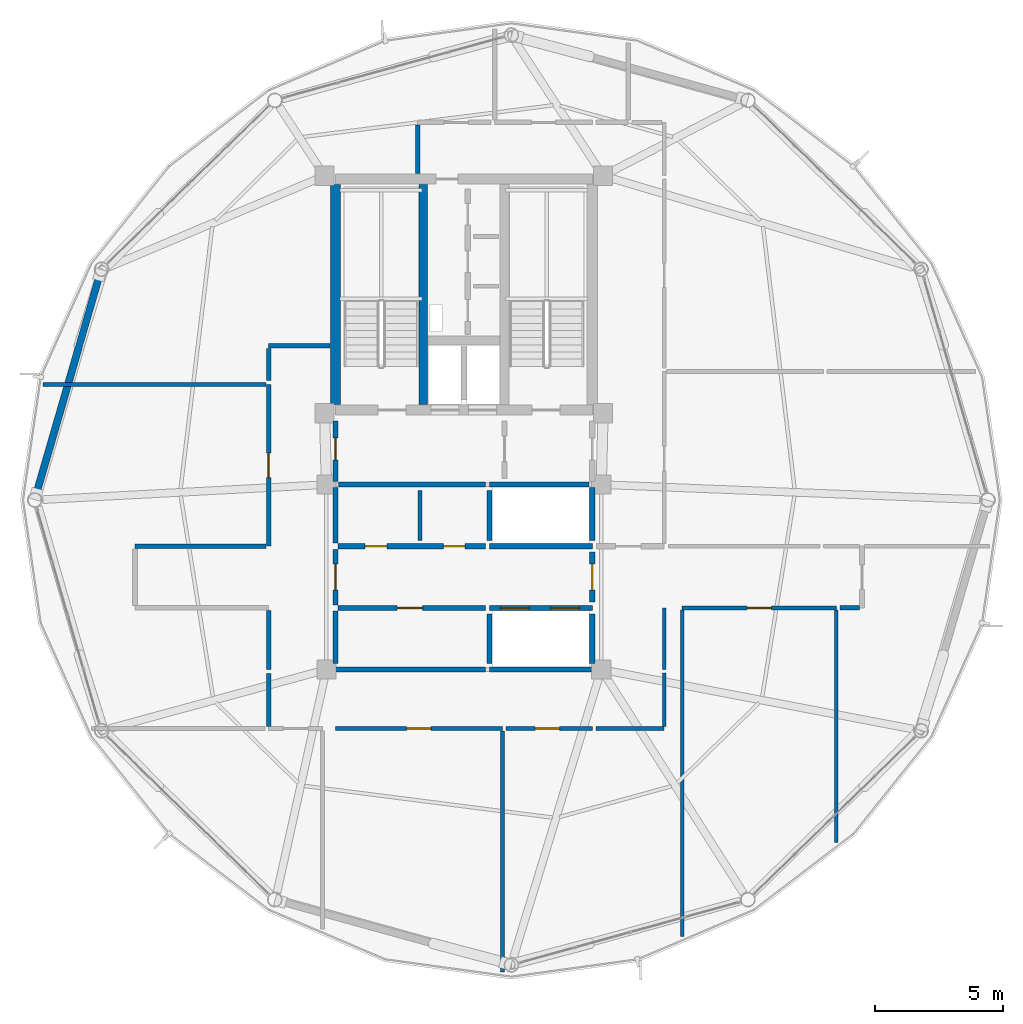
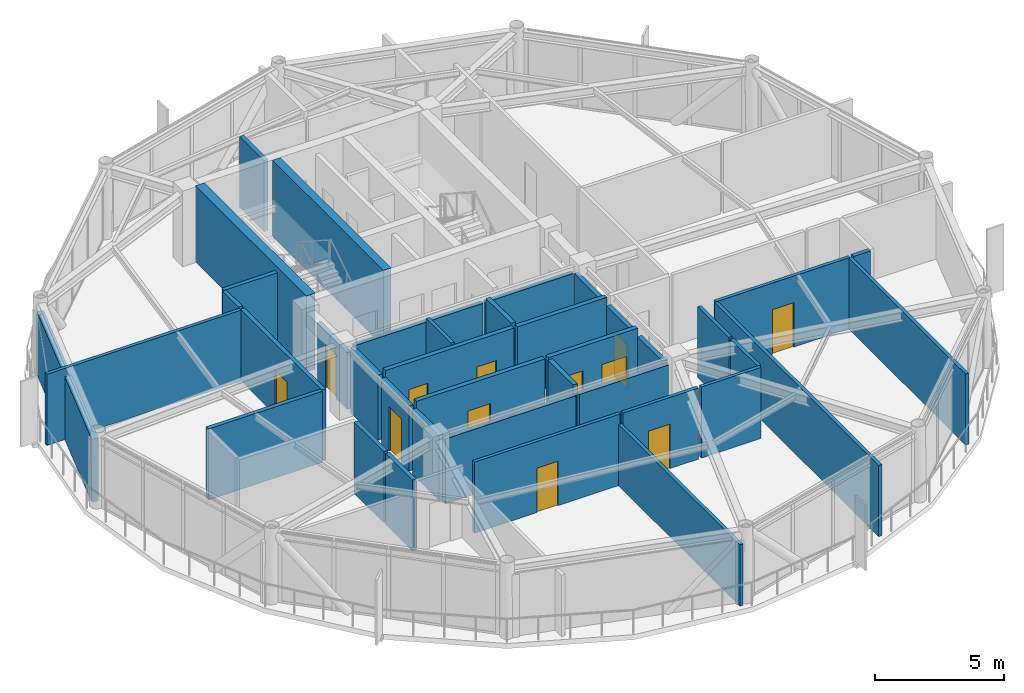
# One storey, part 22 of 27: 39 walls, 12 doors, 12 openings.
"""IFC4 building model written with IfcOpenShell, lengths in metres."""

from ifc_helpers import new_model, si_unit, direction, frame, frame_2d, origin, place, context, subcontext, project, spatial, rectangle, extrude, material, layer, layer_set, type_object, element, fill, save


model = new_model("IFC4")

# Units and contexts
model_context = context("Model", 3, precision=1e-05, world=origin(), true_north=direction((0.0, 1.0)))
body_context = subcontext(model_context, "Body", "Model", "MODEL_VIEW")
ifc_project = project(units=[si_unit("LENGTHUNIT", "METRE"), si_unit("AREAUNIT", "SQUARE_METRE"), si_unit("VOLUMEUNIT", "CUBIC_METRE"), si_unit("PLANEANGLEUNIT", "RADIAN"), si_unit("MASSUNIT", "GRAM", prefix="KILO")], contexts=[model_context])

# Site, building, storey
site_placement = place(None, origin())
site = spatial("IfcSite", under=ifc_project, at=site_placement, CompositionType="ELEMENT")
building_placement = place(site_placement, origin())
building = spatial("IfcBuilding", under=site, at=building_placement, Name="Varnakorn Sky Granary", CompositionType="ELEMENT")
storey_placement = place(building_placement, frame((0.0, 0.0, 245.39990234375)))
storey = spatial("IfcBuildingStorey", under=building, at=storey_placement, Name="L62", CompositionType="ELEMENT", Elevation=245.39990234375)

# Walls
ifc_material_1 = material(Name="Concrete C50/60", Category="concrete")
ifc_layer_1 = layer(ifc_material_1, 0.35009765625, Name="Concrete C50/60")
ifc_layer_set_1 = layer_set([ifc_layer_1], Name="Concrete C50/60")
wall_type_1 = type_object("IfcWallType", Name="WT-CW-INT-350", PredefinedType="SHEAR", material=ifc_layer_set_1)
wall_1_placement = place(storey_placement, frame((1.419921875, 3.7099609375, 0.0), z_axis=(0.0, 0.0, 1.0), x_axis=(0.0, 1.0, 0.0)))
element("IfcWall", 1, at=wall_1_placement, inside=storey, type_object=wall_type_1, Name="Stair ST-1 Core Wall L62", PredefinedType="SHEAR", context=body_context, shape_type="SweptSolid", body=[
    extrude(rectangle(XDim=8.580078125, YDim=0.35009765625, at=frame_2d((4.2900390625, 0.0))), origin(), (0.0, 0.0, 1.0), 3.592041015625),
])
ifc_layer_2 = layer(ifc_material_1, 0.39990234375, Name="Concrete C50/60")
ifc_layer_set_2 = layer_set([ifc_layer_2], Name="Concrete C50/60")
wall_type_2 = type_object("IfcWallType", Name="WT-CW-SHEAR-400", PredefinedType="SHEAR", material=ifc_layer_set_2)
wall_2_placement = place(storey_placement, frame((-2.0, 3.7099609375, 0.0), z_axis=(0.0, 0.0, 1.0), x_axis=(0.0, 1.0, 0.0)))
element("IfcWall", 2, at=wall_2_placement, inside=storey, type_object=wall_type_2, Name="Core West Shear Wall L62", PredefinedType="SHEAR", context=body_context, shape_type="SweptSolid", body=[
    extrude(rectangle(XDim=8.580078125, YDim=0.39990234375, at=frame_2d((4.2900390625, 0.0))), origin(), (0.0, 0.0, 1.0), 3.592041015625),
])
ifc_material_2 = material(Name="Precast concrete C40/50", Category="concrete")
ifc_layer_3 = layer(ifc_material_2, 0.280029296875, Name="Precast concrete C40/50")
ifc_layer_set_3 = layer_set([ifc_layer_3], Name="Precast concrete C40/50")
wall_type_3 = type_object("IfcWallType", Name="WT-EW-CRN-280", PredefinedType="SOLIDWALL", material=ifc_layer_set_3)
wall_3_placement = place(storey_placement, frame((-13.647705078125, 0.22509765625, 0.0), z_axis=(0.0, 0.0, 1.0), x_axis=(0.278336910571, 0.960483505436, 0.0)))
element("IfcWall", 3, at=wall_3_placement, inside=storey, type_object=wall_type_3, Name="Agritech Insulated Precast Facade Wall L62-P06", PredefinedType="SOLIDWALL", context=body_context, shape_type="SweptSolid", body=[
    extrude(rectangle(XDim=8.88623046875, YDim=0.280029296875, at=frame_2d((4.443115234375, 0.0))), origin(), (0.0, 0.0, 1.0), 2.97021484375),
])

# Wall, opening, door
ifc_material_3 = material(Name="Autoclaved Aerated Concrete Blockwork", Category="masonry")
ifc_layer_4 = layer(ifc_material_3, 0.199951171875, Name="Autoclaved Aerated Concrete Blockwork")
ifc_layer_set_4 = layer_set([ifc_layer_4], Name="Autoclaved Aerated Concrete Blockwork")
wall_type_4 = type_object("IfcWallType", Name="WT-FIRE-200", PredefinedType="MOVABLE", material=ifc_layer_set_4)
wall_4_placement = place(storey_placement, frame((-2.0, 0.719970703125, 0.0), z_axis=(0.0, 0.0, 1.0), x_axis=(0.0, 1.0, 0.0)))
wall_4 = element("IfcWall", 4, at=wall_4_placement, inside=storey, type_object=wall_type_4, Name="Interior Partition Wall L62-012", PredefinedType="MOVABLE", context=body_context, shape_type="SweptSolid", body=[
    extrude(rectangle(XDim=2.35009765625, YDim=0.199951171875, at=frame_2d((1.175048828125, 0.0))), origin(), (0.0, 0.0, 1.0), 2.692138671875),
])
opening_1_placement = place(wall_4_placement, frame((0.844970703125, 0.0, 0.0)))
opening_1 = element("IfcOpeningElement", 5, at=opening_1_placement, cuts=wall_4, Name="Opening FD-60N", PredefinedType="OPENING", context=body_context, shape_type="SweptSolid", body=[
    extrude(rectangle(XDim=0.85009765625, YDim=2.10009765625, at=frame_2d((0.425048828125, 1.050048828125))), frame((0.0, 0.10986328125, 0.0), z_axis=(0.0, -1.0, 0.0), x_axis=(1.0, 0.0, 0.0)), (0.0, 0.0, 1.0), 0.219970703125),
])
ifc_material_4 = material(Name="Acoustic Timber Fire Leaf", Category="wood")
door_type_1 = type_object("IfcDoorType", Name="DR-FD60-850", OperationType="NOTDEFINED", PredefinedType="DOOR", material=ifc_material_4)
door_1_placement = place(opening_1_placement, origin())
door_1 = element("IfcDoor", 6, at=door_1_placement, inside=storey, type_object=door_type_1, Name="Interior Door L62-012-1", OperationType="SINGLE_SWING_RIGHT", OverallHeight=2.10009765625, OverallWidth=0.85009765625, PredefinedType="DOOR", context=body_context, shape_type="SweptSolid", body=[
    extrude(rectangle(XDim=0.85009765625, YDim=2.10009765625, at=frame_2d((0.425048828125, 1.050048828125))), frame((0.0, 0.02490234375, 0.0), z_axis=(0.0, -1.0, 0.0), x_axis=(1.0, 0.0, 0.0)), (0.0, 0.0, 1.0), 0.050048828125),
])
fill(opening_1, door_1)

wall_5_placement = place(storey_placement, frame((-2.0, -4.080078125, 0.0), z_axis=(0.0, 0.0, 1.0), x_axis=(0.0, 1.0, 0.0)))
wall_5 = element("IfcWall", 7, at=wall_5_placement, inside=storey, type_object=wall_type_4, Name="Interior Partition Wall L62-014", PredefinedType="MOVABLE", context=body_context, shape_type="SweptSolid", body=[
    extrude(rectangle(XDim=2.16015625, YDim=0.199951171875, at=frame_2d((1.080078125, 0.0))), origin(), (0.0, 0.0, 1.0), 3.072021484375),
])
opening_2_placement = place(wall_5_placement, frame((0.580078125, 0.0, 0.0)))
opening_2 = element("IfcOpeningElement", 8, at=opening_2_placement, cuts=wall_5, Name="Opening FD-60", PredefinedType="OPENING", context=body_context, shape_type="SweptSolid", body=[
    extrude(rectangle(XDim=1.0, YDim=2.10009765625, at=frame_2d((0.5, 1.050048828125))), frame((0.0, 0.10986328125, 0.0), z_axis=(0.0, -1.0, 0.0), x_axis=(1.0, 0.0, 0.0)), (0.0, 0.0, 1.0), 0.219970703125),
])
door_type_2 = type_object("IfcDoorType", Name="DR-FD60-1000", OperationType="NOTDEFINED", PredefinedType="DOOR", material=ifc_material_4)
door_2_placement = place(opening_2_placement, origin())
door_2 = element("IfcDoor", 9, at=door_2_placement, inside=storey, type_object=door_type_2, Name="Interior Door L62-014-1", OperationType="SINGLE_SWING_RIGHT", OverallHeight=2.10009765625, OverallWidth=1.0, PredefinedType="DOOR", context=body_context, shape_type="SweptSolid", body=[
    extrude(rectangle(XDim=1.0, YDim=2.10009765625, at=frame_2d((0.5, 1.050048828125))), frame((0.0, 0.02490234375, 0.0), z_axis=(0.0, -1.0, 0.0), x_axis=(1.0, 0.0, 0.0)), (0.0, 0.0, 1.0), 0.050048828125),
])
fill(opening_2, door_2)

wall_6_placement = place(storey_placement, frame((8.0, -3.969970703125, 0.0), z_axis=(0.0, 0.0, 1.0), x_axis=(0.0, 1.0, 0.0)))
wall_6 = element("IfcWall", 10, at=wall_6_placement, inside=storey, type_object=wall_type_4, Name="Interior Partition Wall L62-015", PredefinedType="MOVABLE", context=body_context, shape_type="SweptSolid", body=[
    extrude(rectangle(XDim=1.93994140625, YDim=0.199951171875, at=frame_2d((0.969970703125, 0.0))), origin(), (0.0, 0.0, 1.0), 3.072021484375),
])
opening_3_placement = place(wall_6_placement, frame((0.469970703125, 0.0, 0.0)))
opening_3 = element("IfcOpeningElement", 11, at=opening_3_placement, cuts=wall_6, Name="Opening FD-60", PredefinedType="OPENING", context=body_context, shape_type="SweptSolid", body=[
    extrude(rectangle(XDim=1.0, YDim=2.10009765625, at=frame_2d((0.5, 1.050048828125))), frame((0.0, 0.10986328125, 0.0), z_axis=(0.0, -1.0, 0.0), x_axis=(1.0, 0.0, 0.0)), (0.0, 0.0, 1.0), 0.219970703125),
])
door_3_placement = place(opening_3_placement, origin())
door_3 = element("IfcDoor", 12, at=door_3_placement, inside=storey, type_object=door_type_2, Name="Interior Door L62-015-1", OperationType="SINGLE_SWING_LEFT", OverallHeight=2.10009765625, OverallWidth=1.0, PredefinedType="DOOR", context=body_context, shape_type="SweptSolid", body=[
    extrude(rectangle(XDim=1.0, YDim=2.10009765625, at=frame_2d((0.5, 1.050048828125))), frame((0.0, 0.02490234375, 0.0), z_axis=(0.0, -1.0, 0.0), x_axis=(1.0, 0.0, 0.0)), (0.0, 0.0, 1.0), 0.050048828125),
])
fill(opening_3, door_3)

# Wall, openings, doors
wall_7_placement = place(storey_placement, frame((-1.889892578125, -1.800048828125, 0.0), z_axis=(0.0, 0.0, 1.0), x_axis=(1.0, 0.0, 0.0)))
wall_7 = element("IfcWall", 13, at=wall_7_placement, inside=storey, type_object=wall_type_4, Name="Interior Partition Wall L62-016", PredefinedType="MOVABLE", context=body_context, shape_type="SweptSolid", body=[
    extrude(rectangle(XDim=5.72998046875, YDim=0.199951171875, at=frame_2d((2.864990234375, 0.0))), origin(), (0.0, 0.0, 1.0), 3.360107421875),
])
opening_4_placement = place(wall_7_placement, frame((1.0400390625, 0.0, 0.0)))
opening_4 = element("IfcOpeningElement", 14, at=opening_4_placement, cuts=wall_7, Name="Opening FD-60N", PredefinedType="OPENING", context=body_context, shape_type="SweptSolid", body=[
    extrude(rectangle(XDim=0.85009765625, YDim=2.10009765625, at=frame_2d((0.425048828125, 1.050048828125))), frame((0.0, 0.10986328125, 0.0), z_axis=(0.0, -1.0, 0.0), x_axis=(1.0, 0.0, 0.0)), (0.0, 0.0, 1.0), 0.219970703125),
])
opening_5_placement = place(wall_7_placement, frame((4.090087890625, 0.0, 0.0)))
opening_5 = element("IfcOpeningElement", 15, at=opening_5_placement, cuts=wall_7, Name="Opening FD-60N", PredefinedType="OPENING", context=body_context, shape_type="SweptSolid", body=[
    extrude(rectangle(XDim=0.85009765625, YDim=2.10009765625, at=frame_2d((0.425048828125, 1.050048828125))), frame((0.0, 0.10986328125, 0.0), z_axis=(0.0, -1.0, 0.0), x_axis=(1.0, 0.0, 0.0)), (0.0, 0.0, 1.0), 0.219970703125),
])
door_4_placement = place(opening_4_placement, origin())
door_4 = element("IfcDoor", 16, at=door_4_placement, inside=storey, type_object=door_type_1, Name="Interior Door L62-016-1", OperationType="SINGLE_SWING_RIGHT", OverallHeight=2.10009765625, OverallWidth=0.85009765625, PredefinedType="DOOR", context=body_context, shape_type="SweptSolid", body=[
    extrude(rectangle(XDim=0.85009765625, YDim=2.10009765625, at=frame_2d((0.425048828125, 1.050048828125))), frame((0.0, 0.02490234375, 0.0), z_axis=(0.0, -1.0, 0.0), x_axis=(1.0, 0.0, 0.0)), (0.0, 0.0, 1.0), 0.050048828125),
])
fill(opening_4, door_4)
door_5_placement = place(opening_5_placement, origin())
door_5 = element("IfcDoor", 17, at=door_5_placement, inside=storey, type_object=door_type_1, Name="Interior Door L62-016-2", OperationType="SINGLE_SWING_LEFT", OverallHeight=2.10009765625, OverallWidth=0.85009765625, PredefinedType="DOOR", context=body_context, shape_type="SweptSolid", body=[
    extrude(rectangle(XDim=0.85009765625, YDim=2.10009765625, at=frame_2d((0.425048828125, 1.050048828125))), frame((0.0, 0.02490234375, 0.0), z_axis=(0.0, -1.0, 0.0), x_axis=(1.0, 0.0, 0.0)), (0.0, 0.0, 1.0), 0.050048828125),
])
fill(opening_5, door_5)

# Wall, opening, door
wall_8_placement = place(storey_placement, frame((-1.889892578125, -4.199951171875, 0.0), z_axis=(0.0, 0.0, 1.0), x_axis=(1.0, 0.0, 0.0)))
wall_8 = element("IfcWall", 18, at=wall_8_placement, inside=storey, type_object=wall_type_4, Name="Interior Partition Wall L62-017", PredefinedType="MOVABLE", context=body_context, shape_type="SweptSolid", body=[
    extrude(rectangle(XDim=5.72998046875, YDim=0.199951171875, at=frame_2d((2.864990234375, 0.0))), origin(), (0.0, 0.0, 1.0), 3.360107421875),
])
opening_6_placement = place(wall_8_placement, frame((2.2900390625, 0.0, 0.0)))
opening_6 = element("IfcOpeningElement", 19, at=opening_6_placement, cuts=wall_8, Name="Opening FD-60", PredefinedType="OPENING", context=body_context, shape_type="SweptSolid", body=[
    extrude(rectangle(XDim=1.0, YDim=2.10009765625, at=frame_2d((0.5, 1.050048828125))), frame((0.0, 0.10986328125, 0.0), z_axis=(0.0, -1.0, 0.0), x_axis=(1.0, 0.0, 0.0)), (0.0, 0.0, 1.0), 0.219970703125),
])
door_6_placement = place(opening_6_placement, origin())
door_6 = element("IfcDoor", 20, at=door_6_placement, inside=storey, type_object=door_type_2, Name="Interior Door L62-017-1", OperationType="SINGLE_SWING_RIGHT", OverallHeight=2.10009765625, OverallWidth=1.0, PredefinedType="DOOR", context=body_context, shape_type="SweptSolid", body=[
    extrude(rectangle(XDim=1.0, YDim=2.10009765625, at=frame_2d((0.5, 1.050048828125))), frame((0.0, 0.02490234375, 0.0), z_axis=(0.0, -1.0, 0.0), x_axis=(1.0, 0.0, 0.0)), (0.0, 0.0, 1.0), 0.050048828125),
])
fill(opening_6, door_6)

# Walls
wall_9_placement = place(storey_placement, frame((-1.8798828125, 0.60009765625, 0.0), z_axis=(0.0, 0.0, 1.0), x_axis=(1.0, 0.0, 0.0)))
element("IfcWall", 21, at=wall_9_placement, inside=storey, type_object=wall_type_4, Name="Interior Partition Wall L62-031", PredefinedType="MOVABLE", context=body_context, shape_type="SweptSolid", body=[
    extrude(rectangle(XDim=5.719970703125, YDim=0.199951171875, at=frame_2d((2.85986328125, 0.0))), origin(), (0.0, 0.0, 1.0), 3.072021484375),
])
wall_10_placement = place(storey_placement, frame((-2.0, -1.679931640625, 0.0), z_axis=(0.0, 0.0, 1.0), x_axis=(0.0, 1.0, 0.0)))
element("IfcWall", 22, at=wall_10_placement, inside=storey, type_object=wall_type_4, Name="Interior Partition Wall L62-033", PredefinedType="MOVABLE", context=body_context, shape_type="SweptSolid", body=[
    extrude(rectangle(XDim=2.159912109375, YDim=0.199951171875, at=frame_2d((1.080078125, 0.0))), origin(), (0.0, 0.0, 1.0), 3.072021484375),
])
wall_11_placement = place(storey_placement, frame((-2.0, -6.60009765625, 0.0), z_axis=(0.0, 0.0, 1.0), x_axis=(1.0, 0.0, 0.0)))
element("IfcWall", 23, at=wall_11_placement, inside=storey, type_object=wall_type_4, Name="Interior Partition Wall L62-034", PredefinedType="MOVABLE", context=body_context, shape_type="SweptSolid", body=[
    extrude(rectangle(XDim=5.840087890625, YDim=0.199951171875, at=frame_2d((2.919921875, 0.0))), origin(), (0.0, 0.0, 1.0), 3.072021484375),
])
wall_12_placement = place(storey_placement, frame((-2.0, -6.3701171875, 0.0), z_axis=(0.0, 0.0, 1.0), x_axis=(0.0, 1.0, 0.0)))
element("IfcWall", 24, at=wall_12_placement, inside=storey, type_object=wall_type_4, Name="Interior Partition Wall L62-035", PredefinedType="MOVABLE", context=body_context, shape_type="SweptSolid", body=[
    extrude(rectangle(XDim=2.050048828125, YDim=0.199951171875, at=frame_2d((1.02490234375, 0.0))), origin(), (0.0, 0.0, 1.0), 3.072021484375),
])

# Wall, opening, door
ifc_material_5 = material(Name="Gypsum Plasterboard on Steel Stud", Category="steel")
ifc_layer_5 = layer(ifc_material_5, 0.14990234375, Name="Gypsum Plasterboard on Steel Stud")
ifc_layer_set_5 = layer_set([ifc_layer_5], Name="Gypsum Plasterboard on Steel Stud")
wall_type_5 = type_object("IfcWallType", Name="WT-PART-150", PredefinedType="PARTITIONING", material=ifc_layer_set_5)
wall_13_placement = place(storey_placement, frame((-2.0, -8.89990234375, 0.0), z_axis=(0.0, 0.0, 1.0), x_axis=(1.0, 0.0, 0.0)))
wall_13 = element("IfcWall", 25, at=wall_13_placement, inside=storey, type_object=wall_type_5, Name="Interior Partition Wall L62-021", PredefinedType="PARTITIONING", context=body_context, shape_type="SweptSolid", body=[
    extrude(rectangle(XDim=6.5, YDim=0.14990234375, at=frame_2d((3.25, 0.0))), origin(), (0.0, 0.0, 1.0), 3.360107421875),
])
opening_7_placement = place(wall_13_placement, frame((2.77490234375, 0.0, 0.0)))
opening_7 = element("IfcOpeningElement", 26, at=opening_7_placement, cuts=wall_13, Name="Opening ID-95", PredefinedType="OPENING", context=body_context, shape_type="SweptSolid", body=[
    extrude(rectangle(XDim=0.949951171875, YDim=2.10009765625, at=frame_2d((0.47509765625, 1.050048828125))), frame((0.0, 0.0849609375, 0.0), z_axis=(0.0, -1.0, 0.0), x_axis=(1.0, 0.0, 0.0)), (0.0, 0.0, 1.0), 0.169921875),
])
ifc_material_6 = material(Name="Solid-Core Teak Veneer Leaf", Category="timber")
door_type_3 = type_object("IfcDoorType", Name="DR-INT-950", OperationType="NOTDEFINED", PredefinedType="DOOR", material=ifc_material_6)
door_7_placement = place(opening_7_placement, origin())
door_7 = element("IfcDoor", 27, at=door_7_placement, inside=storey, type_object=door_type_3, Name="Interior Door L62-021-1", OperationType="SINGLE_SWING_RIGHT", OverallHeight=2.10009765625, OverallWidth=0.949951171875, PredefinedType="DOOR", context=body_context, shape_type="SweptSolid", body=[
    extrude(rectangle(XDim=0.949951171875, YDim=2.10009765625, at=frame_2d((0.47509765625, 1.050048828125))), frame((0.0, 0.02490234375, 0.0), z_axis=(0.0, -1.0, 0.0), x_axis=(1.0, 0.0, 0.0)), (0.0, 0.0, 1.0), 0.050048828125),
])
fill(opening_7, door_7)

wall_14_placement = place(storey_placement, frame((4.635009765625, -8.89990234375, 0.0), z_axis=(0.0, 0.0, 1.0), x_axis=(1.0, 0.0, 0.0)))
wall_14 = element("IfcWall", 28, at=wall_14_placement, inside=storey, type_object=wall_type_5, Name="Interior Partition Wall L62-022", PredefinedType="PARTITIONING", context=body_context, shape_type="SweptSolid", body=[
    extrude(rectangle(XDim=3.364990234375, YDim=0.14990234375, at=frame_2d((1.6826171875, 0.0))), origin(), (0.0, 0.0, 1.0), 3.360107421875),
])
opening_8_placement = place(wall_14_placement, frame((1.139892578125, 0.0, 0.0)))
opening_8 = element("IfcOpeningElement", 29, at=opening_8_placement, cuts=wall_14, Name="Opening ID-95", PredefinedType="OPENING", context=body_context, shape_type="SweptSolid", body=[
    extrude(rectangle(XDim=0.949951171875, YDim=2.10009765625, at=frame_2d((0.47509765625, 1.050048828125))), frame((0.0, 0.0849609375, 0.0), z_axis=(0.0, -1.0, 0.0), x_axis=(1.0, 0.0, 0.0)), (0.0, 0.0, 1.0), 0.169921875),
])
door_8_placement = place(opening_8_placement, origin())
door_8 = element("IfcDoor", 30, at=door_8_placement, inside=storey, type_object=door_type_3, Name="Interior Door L62-022-1", OperationType="SINGLE_SWING_LEFT", OverallHeight=2.10009765625, OverallWidth=0.949951171875, PredefinedType="DOOR", context=body_context, shape_type="SweptSolid", body=[
    extrude(rectangle(XDim=0.949951171875, YDim=2.10009765625, at=frame_2d((0.47509765625, 1.050048828125))), frame((0.0, 0.02490234375, 0.0), z_axis=(0.0, -1.0, 0.0), x_axis=(1.0, 0.0, 0.0)), (0.0, 0.0, 1.0), 0.050048828125),
])
fill(opening_8, door_8)

wall_15_placement = place(storey_placement, frame((11.5, -4.199951171875, 0.0), z_axis=(0.0, 0.0, 1.0), x_axis=(1.0, 0.0, 0.0)))
wall_15 = element("IfcWall", 31, at=wall_15_placement, inside=storey, type_object=wall_type_5, Name="Interior Partition Wall L62-023", PredefinedType="PARTITIONING", context=body_context, shape_type="SweptSolid", body=[
    extrude(rectangle(XDim=6.0, YDim=0.14990234375, at=frame_2d((3.0, 0.0))), origin(), (0.0, 0.0, 1.0), 3.360107421875),
])
opening_9_placement = place(wall_15_placement, frame((2.52490234375, 0.0, 0.0)))
opening_9 = element("IfcOpeningElement", 32, at=opening_9_placement, cuts=wall_15, Name="Opening ID-95", PredefinedType="OPENING", context=body_context, shape_type="SweptSolid", body=[
    extrude(rectangle(XDim=0.949951171875, YDim=2.10009765625, at=frame_2d((0.47509765625, 1.050048828125))), frame((0.0, 0.0849609375, 0.0), z_axis=(0.0, -1.0, 0.0), x_axis=(1.0, 0.0, 0.0)), (0.0, 0.0, 1.0), 0.169921875),
])
door_9_placement = place(opening_9_placement, origin())
door_9 = element("IfcDoor", 33, at=door_9_placement, inside=storey, type_object=door_type_3, Name="Interior Door L62-023-1", OperationType="SINGLE_SWING_RIGHT", OverallHeight=2.10009765625, OverallWidth=0.949951171875, PredefinedType="DOOR", context=body_context, shape_type="SweptSolid", body=[
    extrude(rectangle(XDim=0.949951171875, YDim=2.10009765625, at=frame_2d((0.47509765625, 1.050048828125))), frame((0.0, 0.02490234375, 0.0), z_axis=(0.0, -1.0, 0.0), x_axis=(1.0, 0.0, 0.0)), (0.0, 0.0, 1.0), 0.050048828125),
])
fill(opening_9, door_9)

# Walls
wall_16_placement = place(storey_placement, frame((1.300048828125, -1.570068359375, 0.0), z_axis=(0.0, 0.0, 1.0), x_axis=(0.0, 1.0, 0.0)))
element("IfcWall", 34, at=wall_16_placement, inside=storey, type_object=wall_type_5, Name="Interior Partition Wall L62-032", PredefinedType="PARTITIONING", context=body_context, shape_type="SweptSolid", body=[
    extrude(rectangle(XDim=1.940185546875, YDim=0.14990234375, at=frame_2d((0.97021484375, 0.0))), origin(), (0.0, 0.0, 1.0), 3.360107421875),
])
wall_17_placement = place(storey_placement, frame((4.5, -8.985107421875, 0.0), z_axis=(0.0, 0.0, 1.0), x_axis=(0.0, -1.0, 0.0)))
element("IfcWall", 35, at=wall_17_placement, inside=storey, type_object=wall_type_5, Name="Interior Partition Wall L62-039", PredefinedType="PARTITIONING", context=body_context, shape_type="SweptSolid", body=[
    extrude(rectangle(XDim=9.3828125, YDim=0.14990234375, at=frame_2d((4.69140625, 0.0))), origin(), (0.0, 0.0, 1.0), 2.89208984375),
])
wall_18_placement = place(storey_placement, frame((8.135009765625, -8.89990234375, 0.0), z_axis=(0.0, 0.0, 1.0), x_axis=(1.0, 0.0, 0.0)))
element("IfcWall", 36, at=wall_18_placement, inside=storey, type_object=wall_type_5, Name="Interior Partition Wall L62-040", PredefinedType="PARTITIONING", context=body_context, shape_type="SweptSolid", body=[
    extrude(rectangle(XDim=2.6650390625, YDim=0.14990234375, at=frame_2d((1.33251953125, 0.0))), origin(), (0.0, 0.0, 1.0), 3.360107421875),
])
wall_19_placement = place(storey_placement, frame((10.800048828125, -6.60009765625, 0.0), z_axis=(0.0, 0.0, 1.0), x_axis=(0.0, 1.0, 0.0)))
element("IfcWall", 37, at=wall_19_placement, inside=storey, type_object=wall_type_5, Name="Interior Partition Wall L62-041", PredefinedType="PARTITIONING", context=body_context, shape_type="SweptSolid", body=[
    extrude(rectangle(XDim=2.400146484375, YDim=0.14990234375, at=frame_2d((1.2001953125, 0.0))), origin(), (0.0, 0.0, 1.0), 3.360107421875),
])
wall_20_placement = place(storey_placement, frame((10.800048828125, -8.81494140625, 0.0), z_axis=(0.0, 0.0, 1.0), x_axis=(0.0, 1.0, 0.0)))
element("IfcWall", 38, at=wall_20_placement, inside=storey, type_object=wall_type_5, Name="Interior Partition Wall L62-042", PredefinedType="PARTITIONING", context=body_context, shape_type="SweptSolid", body=[
    extrude(rectangle(XDim=2.079833984375, YDim=0.14990234375, at=frame_2d((1.0400390625, 0.0))), origin(), (0.0, 0.0, 1.0), 3.360107421875),
])
wall_21_placement = place(storey_placement, frame((11.5, -4.284912109375, 0.0), z_axis=(0.0, 0.0, 1.0), x_axis=(0.0, -1.0, 0.0)))
element("IfcWall", 39, at=wall_21_placement, inside=storey, type_object=wall_type_5, Name="Interior Partition Wall L62-043", PredefinedType="PARTITIONING", context=body_context, shape_type="SweptSolid", body=[
    extrude(rectangle(XDim=12.7041015625, YDim=0.14990234375, at=frame_2d((6.35205078125, 0.0))), origin(), (0.0, 0.0, 1.0), 3.360107421875),
])
wall_22_placement = place(storey_placement, frame((17.5, -4.284912109375, 0.0), z_axis=(0.0, 0.0, 1.0), x_axis=(0.0, -1.0, 0.0)))
element("IfcWall", 40, at=wall_22_placement, inside=storey, type_object=wall_type_5, Name="Interior Partition Wall L62-044", PredefinedType="PARTITIONING", context=body_context, shape_type="SweptSolid", body=[
    extrude(rectangle(XDim=9.04296875, YDim=0.14990234375, at=frame_2d((4.521484375, 0.0))), origin(), (0.0, 0.0, 1.0), 3.360107421875),
])
wall_23_placement = place(storey_placement, frame((-13.373046875, 4.5, 0.0), z_axis=(0.0, 0.0, 1.0), x_axis=(1.0, 0.0, 0.0)))
element("IfcWall", 41, at=wall_23_placement, inside=storey, type_object=wall_type_5, Name="Interior Partition Wall L62-052", PredefinedType="PARTITIONING", context=body_context, shape_type="SweptSolid", body=[
    extrude(rectangle(XDim=8.673095703125, YDim=0.14990234375, at=frame_2d((4.33642578125, 0.0))), origin(), (0.0, 0.0, 1.0), 3.360107421875),
])

# Wall, opening, door
ifc_material_7 = material(Name="Moisture-Resistant Gypsum on Stud", Category="gypsum")
ifc_layer_6 = layer(ifc_material_7, 0.179931640625, Name="Moisture-Resistant Gypsum on Stud")
ifc_layer_set_6 = layer_set([ifc_layer_6], Name="Moisture-Resistant Gypsum on Stud")
wall_type_6 = type_object("IfcWallType", Name="WT-PLUMB-180", PredefinedType="PLUMBINGWALL", material=ifc_layer_set_6)
wall_24_placement = place(storey_placement, frame((-4.60009765625, 4.5, 0.0), z_axis=(0.0, 0.0, 1.0), x_axis=(0.0, -1.0, 0.0)))
wall_24 = element("IfcWall", 42, at=wall_24_placement, inside=storey, type_object=wall_type_6, Name="Interior Partition Wall L62-025", PredefinedType="PLUMBINGWALL", context=body_context, shape_type="SweptSolid", body=[
    extrude(rectangle(XDim=6.300048828125, YDim=0.179931640625, at=frame_2d((3.14990234375, 0.0))), origin(), (0.0, 0.0, 1.0), 3.360107421875),
])
opening_10_placement = place(wall_24_placement, frame((2.675048828125, 0.0, 0.0)))
opening_10 = element("IfcOpeningElement", 43, at=opening_10_placement, cuts=wall_24, Name="Opening ID-95", PredefinedType="OPENING", context=body_context, shape_type="SweptSolid", body=[
    extrude(rectangle(XDim=0.949951171875, YDim=2.10009765625, at=frame_2d((0.47509765625, 1.050048828125))), frame((0.0, 0.10009765625, 0.0), z_axis=(0.0, -1.0, 0.0), x_axis=(1.0, 0.0, 0.0)), (0.0, 0.0, 1.0), 0.199951171875),
])
door_10_placement = place(opening_10_placement, origin())
door_10 = element("IfcDoor", 44, at=door_10_placement, inside=storey, type_object=door_type_3, Name="Interior Door L62-025-1", OperationType="SINGLE_SWING_RIGHT", OverallHeight=2.10009765625, OverallWidth=0.949951171875, PredefinedType="DOOR", context=body_context, shape_type="SweptSolid", body=[
    extrude(rectangle(XDim=0.949951171875, YDim=2.10009765625, at=frame_2d((0.47509765625, 1.050048828125))), frame((0.0, 0.02490234375, 0.0), z_axis=(0.0, -1.0, 0.0), x_axis=(1.0, 0.0, 0.0)), (0.0, 0.0, 1.0), 0.050048828125),
])
fill(opening_10, door_10)

# Walls
wall_25_placement = place(storey_placement, frame((17.635009765625, -4.199951171875, 0.0), z_axis=(0.0, 0.0, 1.0), x_axis=(1.0, 0.0, 0.0)))
element("IfcWall", 45, at=wall_25_placement, inside=storey, type_object=wall_type_6, Name="Interior Partition Wall L62-045", PredefinedType="PLUMBINGWALL", context=body_context, shape_type="SweptSolid", body=[
    extrude(rectangle(XDim=0.764892578125, YDim=0.179931640625, at=frame_2d((0.38232421875, 0.0))), origin(), (0.0, 0.0, 1.0), 3.360107421875),
])
wall_26_placement = place(storey_placement, frame((-4.699951171875, -1.800048828125, 0.0), z_axis=(0.0, 0.0, 1.0), x_axis=(-1.0, 0.0, 0.0)))
element("IfcWall", 46, at=wall_26_placement, inside=storey, type_object=wall_type_6, Name="Interior Partition Wall L62-047", PredefinedType="PLUMBINGWALL", context=body_context, shape_type="SweptSolid", body=[
    extrude(rectangle(XDim=5.10009765625, YDim=0.179931640625, at=frame_2d((2.550048828125, 0.0))), origin(), (0.0, 0.0, 1.0), 3.360107421875),
])
wall_27_placement = place(storey_placement, frame((-4.60009765625, -4.300048828125, 0.0), z_axis=(0.0, 0.0, 1.0), x_axis=(0.0, -1.0, 0.0)))
element("IfcWall", 47, at=wall_27_placement, inside=storey, type_object=wall_type_6, Name="Interior Partition Wall L62-050", PredefinedType="PLUMBINGWALL", context=body_context, shape_type="SweptSolid", body=[
    extrude(rectangle(XDim=2.300048828125, YDim=0.179931640625, at=frame_2d((1.14990234375, 0.0))), origin(), (0.0, 0.0, 1.0), 3.360107421875),
])
wall_28_placement = place(storey_placement, frame((-4.60009765625, -6.75, 0.0), z_axis=(0.0, 0.0, 1.0), x_axis=(0.0, -1.0, 0.0)))
element("IfcWall", 48, at=wall_28_placement, inside=storey, type_object=wall_type_6, Name="Interior Partition Wall L62-051", PredefinedType="PLUMBINGWALL", context=body_context, shape_type="SweptSolid", body=[
    extrude(rectangle(XDim=2.06494140625, YDim=0.179931640625, at=frame_2d((1.032470703125, 0.0))), origin(), (0.0, 0.0, 1.0), 3.360107421875),
])
wall_29_placement = place(storey_placement, frame((1.199951171875, 14.60009765625, 0.0), z_axis=(0.0, 0.0, 1.0), x_axis=(0.0, -1.0, 0.0)))
element("IfcWall", 49, at=wall_29_placement, inside=storey, type_object=wall_type_6, Name="Interior Partition Wall L62-053", PredefinedType="PLUMBINGWALL", context=body_context, shape_type="SweptSolid", body=[
    extrude(rectangle(XDim=1.89013671875, YDim=0.179931640625, at=frame_2d((0.945068359375, 0.0))), origin(), (0.0, 0.0, 1.0), 3.360107421875),
])
wall_30_placement = place(storey_placement, frame((-2.2099609375, 6.0, 0.0), z_axis=(0.0, 0.0, 1.0), x_axis=(-1.0, 0.0, 0.0)))
element("IfcWall", 50, at=wall_30_placement, inside=storey, type_object=wall_type_6, Name="Interior Partition Wall L62-054", PredefinedType="PLUMBINGWALL", context=body_context, shape_type="SweptSolid", body=[
    extrude(rectangle(XDim=2.39013671875, YDim=0.179931640625, at=frame_2d((1.195068359375, 0.0))), origin(), (0.0, 0.0, 1.0), 3.360107421875),
])
wall_31_placement = place(storey_placement, frame((-4.60009765625, 5.89990234375, 0.0), z_axis=(0.0, 0.0, 1.0), x_axis=(0.0, -1.0, 0.0)))
element("IfcWall", 51, at=wall_31_placement, inside=storey, type_object=wall_type_6, Name="Interior Partition Wall L62-055", PredefinedType="PLUMBINGWALL", context=body_context, shape_type="SweptSolid", body=[
    extrude(rectangle(XDim=1.25, YDim=0.179931640625, at=frame_2d((0.625, 0.0))), origin(), (0.0, 0.0, 1.0), 3.360107421875),
])
ifc_layer_7 = layer(ifc_material_3, 0.199951171875, Name="Autoclaved Aerated Concrete Blockwork")
ifc_layer_set_7 = layer_set([ifc_layer_7], Name="Autoclaved Aerated Concrete Blockwork")
wall_type_7 = type_object("IfcWallType", Name="WT-SHAFT-200", PredefinedType="SOLIDWALL", material=ifc_layer_set_7)
wall_32_placement = place(storey_placement, frame((4.0, 0.60009765625, 0.0), z_axis=(0.0, 0.0, 1.0), x_axis=(1.0, 0.0, 0.0)))
element("IfcWall", 52, at=wall_32_placement, inside=storey, type_object=wall_type_7, Name="Interior Partition Wall L62-002", PredefinedType="SOLIDWALL", context=body_context, shape_type="SweptSolid", body=[
    extrude(rectangle(XDim=3.8798828125, YDim=0.199951171875, at=frame_2d((1.93994140625, 0.0))), origin(), (0.0, 0.0, 1.0), 3.072021484375),
])
wall_33_placement = place(storey_placement, frame((4.0, -1.800048828125, 0.0), z_axis=(0.0, 0.0, 1.0), x_axis=(1.0, 0.0, 0.0)))
element("IfcWall", 53, at=wall_33_placement, inside=storey, type_object=wall_type_7, Name="Interior Partition Wall L62-003", PredefinedType="SOLIDWALL", context=body_context, shape_type="SweptSolid", body=[
    extrude(rectangle(XDim=4.0, YDim=0.199951171875, at=frame_2d((2.0, 0.0))), origin(), (0.0, 0.0, 1.0), 3.360107421875),
])
wall_34_placement = place(storey_placement, frame((4.0, -1.570068359375, 0.0), z_axis=(0.0, 0.0, 1.0), x_axis=(0.0, 1.0, 0.0)))
element("IfcWall", 54, at=wall_34_placement, inside=storey, type_object=wall_type_7, Name="Interior Partition Wall L62-004", PredefinedType="SOLIDWALL", context=body_context, shape_type="SweptSolid", body=[
    extrude(rectangle(XDim=1.940185546875, YDim=0.199951171875, at=frame_2d((0.97021484375, 0.0))), origin(), (0.0, 0.0, 1.0), 3.360107421875),
])
wall_35_placement = place(storey_placement, frame((8.0, -1.570068359375, 0.0), z_axis=(0.0, 0.0, 1.0), x_axis=(0.0, 1.0, 0.0)))
element("IfcWall", 55, at=wall_35_placement, inside=storey, type_object=wall_type_7, Name="Interior Partition Wall L62-005", PredefinedType="SOLIDWALL", context=body_context, shape_type="SweptSolid", body=[
    extrude(rectangle(XDim=2.050048828125, YDim=0.199951171875, at=frame_2d((1.02490234375, 0.0))), origin(), (0.0, 0.0, 1.0), 3.072021484375),
])

# Wall, openings, doors
wall_36_placement = place(storey_placement, frame((4.0, -4.199951171875, 0.0), z_axis=(0.0, 0.0, 1.0), x_axis=(1.0, 0.0, 0.0)))
wall_36 = element("IfcWall", 56, at=wall_36_placement, inside=storey, type_object=wall_type_7, Name="Interior Partition Wall L62-006", PredefinedType="SOLIDWALL", context=body_context, shape_type="SweptSolid", body=[
    extrude(rectangle(XDim=4.0, YDim=0.199951171875, at=frame_2d((2.0, 0.0))), origin(), (0.0, 0.0, 1.0), 3.360107421875),
])
opening_11_placement = place(wall_36_placement, frame((0.429931640625, 0.0, 0.0)))
opening_11 = element("IfcOpeningElement", 57, at=opening_11_placement, cuts=wall_36, Name="Opening LD-01", PredefinedType="OPENING", context=body_context, shape_type="SweptSolid", body=[
    extrude(rectangle(XDim=1.10009765625, YDim=2.199951171875, at=frame_2d((0.550048828125, 1.10009765625))), frame((0.0, 0.10986328125, 0.0), z_axis=(0.0, -1.0, 0.0), x_axis=(1.0, 0.0, 0.0)), (0.0, 0.0, 1.0), 0.219970703125),
])
opening_12_placement = place(wall_36_placement, frame((2.39990234375, 0.0, 0.0)))
opening_12 = element("IfcOpeningElement", 58, at=opening_12_placement, cuts=wall_36, Name="Opening LD-01", PredefinedType="OPENING", context=body_context, shape_type="SweptSolid", body=[
    extrude(rectangle(XDim=1.10009765625, YDim=2.199951171875, at=frame_2d((0.550048828125, 1.10009765625))), frame((0.0, 0.10986328125, 0.0), z_axis=(0.0, -1.0, 0.0), x_axis=(1.0, 0.0, 0.0)), (0.0, 0.0, 1.0), 0.219970703125),
])
ifc_material_8 = material(Name="Brushed Bronze Stainless Steel", Category="steel")
door_type_4 = type_object("IfcDoorType", Name="DR-LD-1100", OperationType="DOUBLE_DOOR_SLIDING", PredefinedType="DOOR", material=ifc_material_8)
door_11_placement = place(opening_11_placement, origin())
door_11 = element("IfcDoor", 59, at=door_11_placement, inside=storey, type_object=door_type_4, Name="Passenger Lift PL-H1 Sliding Landing Door L62", OperationType="DOUBLE_DOOR_SLIDING", OverallHeight=2.199951171875, OverallWidth=1.10009765625, PredefinedType="DOOR", context=body_context, shape_type="SweptSolid", body=[
    extrude(rectangle(XDim=1.10009765625, YDim=2.199951171875, at=frame_2d((0.550048828125, 1.10009765625))), frame((0.0, 0.02490234375, 0.0), z_axis=(0.0, -1.0, 0.0), x_axis=(1.0, 0.0, 0.0)), (0.0, 0.0, 1.0), 0.050048828125),
])
fill(opening_11, door_11)
door_12_placement = place(opening_12_placement, origin())
door_12 = element("IfcDoor", 60, at=door_12_placement, inside=storey, type_object=door_type_4, Name="Passenger Lift PL-H2 Sliding Landing Door L62", OperationType="DOUBLE_DOOR_SLIDING", OverallHeight=2.199951171875, OverallWidth=1.10009765625, PredefinedType="DOOR", context=body_context, shape_type="SweptSolid", body=[
    extrude(rectangle(XDim=1.10009765625, YDim=2.199951171875, at=frame_2d((0.550048828125, 1.10009765625))), frame((0.0, 0.02490234375, 0.0), z_axis=(0.0, -1.0, 0.0), x_axis=(1.0, 0.0, 0.0)), (0.0, 0.0, 1.0), 0.050048828125),
])
fill(opening_12, door_12)

# Walls
wall_37_placement = place(storey_placement, frame((4.0, -6.60009765625, 0.0), z_axis=(0.0, 0.0, 1.0), x_axis=(1.0, 0.0, 0.0)))
element("IfcWall", 61, at=wall_37_placement, inside=storey, type_object=wall_type_7, Name="Interior Partition Wall L62-007", PredefinedType="SOLIDWALL", context=body_context, shape_type="SweptSolid", body=[
    extrude(rectangle(XDim=4.0, YDim=0.199951171875, at=frame_2d((2.0, 0.0))), origin(), (0.0, 0.0, 1.0), 3.072021484375),
])
wall_38_placement = place(storey_placement, frame((4.0, -6.3701171875, 0.0), z_axis=(0.0, 0.0, 1.0), x_axis=(0.0, 1.0, 0.0)))
element("IfcWall", 62, at=wall_38_placement, inside=storey, type_object=wall_type_7, Name="Interior Partition Wall L62-008", PredefinedType="SOLIDWALL", context=body_context, shape_type="SweptSolid", body=[
    extrude(rectangle(XDim=1.940185546875, YDim=0.199951171875, at=frame_2d((0.97021484375, 0.0))), origin(), (0.0, 0.0, 1.0), 3.360107421875),
])
wall_39_placement = place(storey_placement, frame((8.0, -6.3701171875, 0.0), z_axis=(0.0, 0.0, 1.0), x_axis=(0.0, 1.0, 0.0)))
element("IfcWall", 63, at=wall_39_placement, inside=storey, type_object=wall_type_7, Name="Interior Partition Wall L62-009", PredefinedType="SOLIDWALL", context=body_context, shape_type="SweptSolid", body=[
    extrude(rectangle(XDim=1.940185546875, YDim=0.199951171875, at=frame_2d((0.97021484375, 0.0))), origin(), (0.0, 0.0, 1.0), 3.072021484375),
])

save(model, "model.ifc")
